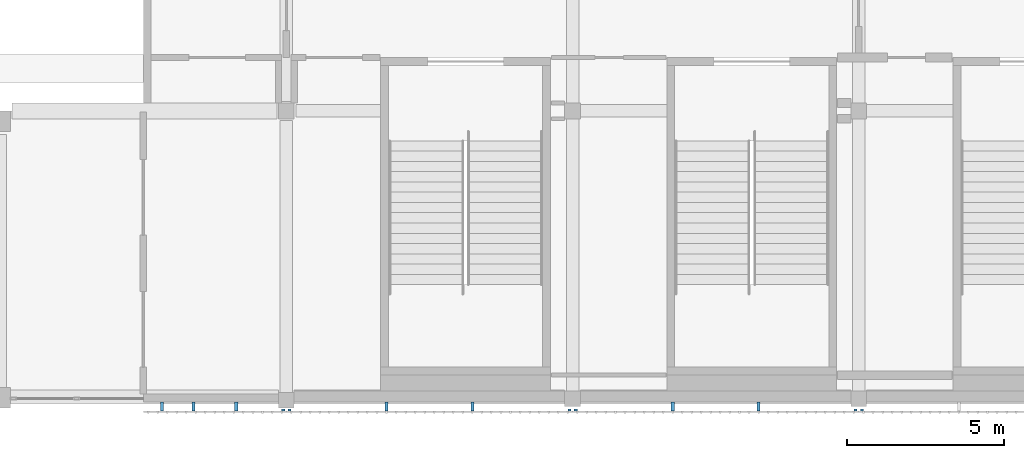
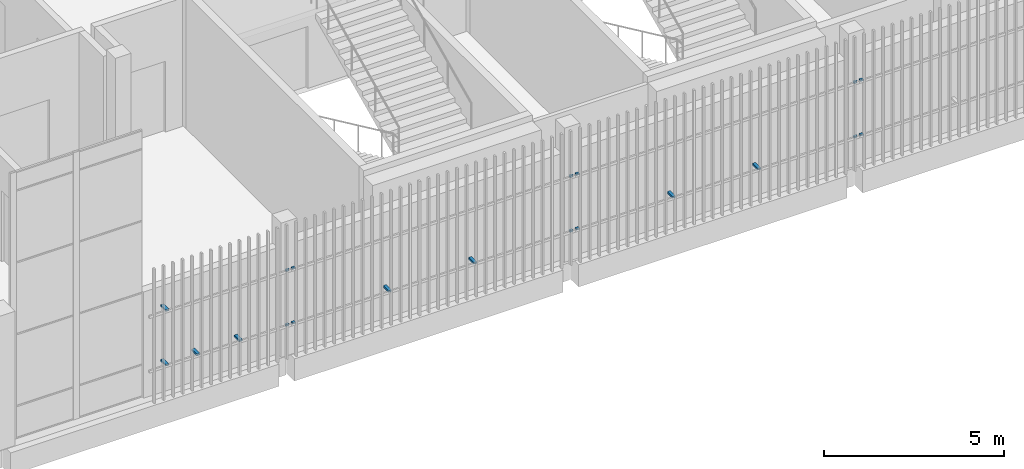
# One storey, part 65 of 91: 20 discrete accessories.
"""IFC4 building model written with IfcOpenShell, lengths in metres."""

from ifc_helpers import new_model, si_unit, direction, frame, origin, origin_2d, place, context, subcontext, project, spatial, rectangle, extrude, material, type_object, element, save


model = new_model("IFC4")

# Units and contexts
model_context = context("Model", 3, precision=1e-05, world=origin(), true_north=direction((0.0, 1.0)))
body_context = subcontext(model_context, "Body", "Model", "MODEL_VIEW")
ifc_project = project(units=[si_unit("LENGTHUNIT", "METRE"), si_unit("AREAUNIT", "SQUARE_METRE"), si_unit("VOLUMEUNIT", "CUBIC_METRE"), si_unit("PLANEANGLEUNIT", "RADIAN"), si_unit("MASSUNIT", "GRAM", prefix="KILO")], contexts=[model_context])

# Site, building, storey
site_placement = place(None, origin())
site = spatial("IfcSite", under=ifc_project, at=site_placement, CompositionType="ELEMENT")
building_placement = place(site_placement, origin())
building = spatial("IfcBuilding", under=site, at=building_placement, Name="Shirokan Park Arena", CompositionType="ELEMENT")
storey_placement = place(building_placement, frame((0.0, 0.0, 24.570068359375)))
storey = spatial("IfcBuildingStorey", under=building, at=storey_placement, Name="L05", CompositionType="ELEMENT", Elevation=24.570068359375)

# Discrete accessories
ifc_material = material(Name="Steel S355", Category="steel")
discrete_accessory_type = type_object("IfcDiscreteAccessoryType", Name="Veil bracket 100x60", PredefinedType="BRACKET", material=ifc_material)
discrete_accessory_1_placement = place(storey_placement, frame((105.25, -0.297607421875, 1.06982421875), z_axis=(0.0, 0.0, 1.0), x_axis=(1.0, 0.0, 0.0)))
element("IfcDiscreteAccessory", 1, at=discrete_accessory_1_placement, inside=storey, type_object=discrete_accessory_type, Name="Veil bracket south bay 12 L05 1", PredefinedType="BRACKET", context=body_context, shape_type="SweptSolid", body=[
    extrude(rectangle(XDim=0.10009765625, YDim=0.294921875, at=origin_2d()), origin(), (0.0, 0.0, 1.0), 0.06005859375),
])
discrete_accessory_2_placement = place(storey_placement, frame((109.10009765625, -0.409912109375, 1.06982421875), z_axis=(0.0, 0.0, 1.0), x_axis=(1.0, 0.0, 0.0)))
element("IfcDiscreteAccessory", 2, at=discrete_accessory_2_placement, inside=storey, type_object=discrete_accessory_type, Name="Veil bracket south bay 12 L05 2", PredefinedType="BRACKET", context=body_context, shape_type="SweptSolid", body=[
    extrude(rectangle(XDim=0.10009765625, YDim=0.070068359375, at=origin_2d()), origin(), (0.0, 0.0, 1.0), 0.06005859375),
])
discrete_accessory_3_placement = place(storey_placement, frame((105.25, -0.297607421875, 2.919921875), z_axis=(0.0, 0.0, 1.0), x_axis=(1.0, 0.0, 0.0)))
element("IfcDiscreteAccessory", 3, at=discrete_accessory_3_placement, inside=storey, type_object=discrete_accessory_type, Name="Veil bracket south bay 12 L05 3", PredefinedType="BRACKET", context=body_context, shape_type="SweptSolid", body=[
    extrude(rectangle(XDim=0.10009765625, YDim=0.294921875, at=origin_2d()), origin(), (0.0, 0.0, 1.0), 0.06005859375),
])
discrete_accessory_4_placement = place(storey_placement, frame((109.10009765625, -0.409912109375, 2.919921875), z_axis=(0.0, 0.0, 1.0), x_axis=(1.0, 0.0, 0.0)))
element("IfcDiscreteAccessory", 4, at=discrete_accessory_4_placement, inside=storey, type_object=discrete_accessory_type, Name="Veil bracket south bay 12 L05 4", PredefinedType="BRACKET", context=body_context, shape_type="SweptSolid", body=[
    extrude(rectangle(XDim=0.10009765625, YDim=0.070068359375, at=origin_2d()), origin(), (0.0, 0.0, 1.0), 0.06005859375),
])
for number, where, z_axis, x_axis, name in (
    (5, (106.242431640625, -0.297607421875, 1.06982421875), (0.0, 0.0, 1.0), (1.0, 0.0, 0.0), "Veil bracket south bay 12 L05 wall 1"),
    (6, (107.607421875, -0.297607421875, 1.06982421875), (0.0, 0.0, 1.0), (1.0, 0.0, 0.0), "Veil bracket south bay 12 L05 wall 2"),
):
    element("IfcDiscreteAccessory", number, at=place(storey_placement, frame(where, z_axis=z_axis, x_axis=x_axis)), inside=storey, type_object=discrete_accessory_type, Name=name, PredefinedType="BRACKET", context=body_context, shape_type="SweptSolid", body=[
        extrude(rectangle(XDim=0.10009765625, YDim=0.294921875, at=origin_2d()), origin(), (0.0, 0.0, 1.0), 0.06005859375),
    ])
for number, where, z_axis, x_axis, name in (
    (7, (109.300048828125, -0.409912109375, 1.06982421875), (0.0, 0.0, 1.0), (1.0, 0.0, 0.0), "Veil bracket south bay 13 L05 1"),
    (8, (118.199951171875, -0.409912109375, 1.06982421875), (0.0, 0.0, 1.0), (1.0, 0.0, 0.0), "Veil bracket south bay 13 L05 2"),
    (9, (109.300048828125, -0.409912109375, 2.919921875), (0.0, 0.0, 1.0), (1.0, 0.0, 0.0), "Veil bracket south bay 13 L05 3"),
    (10, (118.199951171875, -0.409912109375, 2.919921875), (0.0, 0.0, 1.0), (1.0, 0.0, 0.0), "Veil bracket south bay 13 L05 4"),
):
    element("IfcDiscreteAccessory", number, at=place(storey_placement, frame(where, z_axis=z_axis, x_axis=x_axis)), inside=storey, type_object=discrete_accessory_type, Name=name, PredefinedType="BRACKET", context=body_context, shape_type="SweptSolid", body=[
        extrude(rectangle(XDim=0.10009765625, YDim=0.070068359375, at=origin_2d()), origin(), (0.0, 0.0, 1.0), 0.06005859375),
    ])
for number, where, z_axis, x_axis, name in (
    (11, (112.385009765625, -0.297607421875, 1.06982421875), (0.0, 0.0, 1.0), (1.0, 0.0, 0.0), "Veil bracket south bay 13 L05 wall 1"),
    (12, (115.114990234375, -0.297607421875, 1.06982421875), (0.0, 0.0, 1.0), (1.0, 0.0, 0.0), "Veil bracket south bay 13 L05 wall 2"),
):
    element("IfcDiscreteAccessory", number, at=place(storey_placement, frame(where, z_axis=z_axis, x_axis=x_axis)), inside=storey, type_object=discrete_accessory_type, Name=name, PredefinedType="BRACKET", context=body_context, shape_type="SweptSolid", body=[
        extrude(rectangle(XDim=0.10009765625, YDim=0.294921875, at=origin_2d()), origin(), (0.0, 0.0, 1.0), 0.06005859375),
    ])
for number, where, z_axis, x_axis, name in (
    (13, (118.39990234375, -0.409912109375, 1.06982421875), (0.0, 0.0, 1.0), (1.0, 0.0, 0.0), "Veil bracket south bay 14 L05 1"),
    (14, (127.300048828125, -0.409912109375, 1.06982421875), (0.0, 0.0, 1.0), (1.0, 0.0, 0.0), "Veil bracket south bay 14 L05 2"),
    (15, (118.39990234375, -0.409912109375, 2.919921875), (0.0, 0.0, 1.0), (1.0, 0.0, 0.0), "Veil bracket south bay 14 L05 3"),
    (16, (127.300048828125, -0.409912109375, 2.919921875), (0.0, 0.0, 1.0), (1.0, 0.0, 0.0), "Veil bracket south bay 14 L05 4"),
):
    element("IfcDiscreteAccessory", number, at=place(storey_placement, frame(where, z_axis=z_axis, x_axis=x_axis)), inside=storey, type_object=discrete_accessory_type, Name=name, PredefinedType="BRACKET", context=body_context, shape_type="SweptSolid", body=[
        extrude(rectangle(XDim=0.10009765625, YDim=0.070068359375, at=origin_2d()), origin(), (0.0, 0.0, 1.0), 0.06005859375),
    ])
for number, where, z_axis, x_axis, name in (
    (17, (121.485107421875, -0.297607421875, 1.06982421875), (0.0, 0.0, 1.0), (1.0, 0.0, 0.0), "Veil bracket south bay 14 L05 wall 1"),
    (18, (124.215087890625, -0.297607421875, 1.06982421875), (0.0, 0.0, 1.0), (1.0, 0.0, 0.0), "Veil bracket south bay 14 L05 wall 2"),
):
    element("IfcDiscreteAccessory", number, at=place(storey_placement, frame(where, z_axis=z_axis, x_axis=x_axis)), inside=storey, type_object=discrete_accessory_type, Name=name, PredefinedType="BRACKET", context=body_context, shape_type="SweptSolid", body=[
        extrude(rectangle(XDim=0.10009765625, YDim=0.294921875, at=origin_2d()), origin(), (0.0, 0.0, 1.0), 0.06005859375),
    ])
for number, where, z_axis, x_axis, name in (
    (19, (127.5, -0.409912109375, 1.06982421875), (0.0, 0.0, 1.0), (1.0, 0.0, 0.0), "Veil bracket south bay 15 L05 1"),
    (20, (127.5, -0.409912109375, 2.919921875), (0.0, 0.0, 1.0), (1.0, 0.0, 0.0), "Veil bracket south bay 15 L05 3"),
):
    element("IfcDiscreteAccessory", number, at=place(storey_placement, frame(where, z_axis=z_axis, x_axis=x_axis)), inside=storey, type_object=discrete_accessory_type, Name=name, PredefinedType="BRACKET", context=body_context, shape_type="SweptSolid", body=[
        extrude(rectangle(XDim=0.10009765625, YDim=0.070068359375, at=origin_2d()), origin(), (0.0, 0.0, 1.0), 0.06005859375),
    ])

save(model, "model.ifc")
